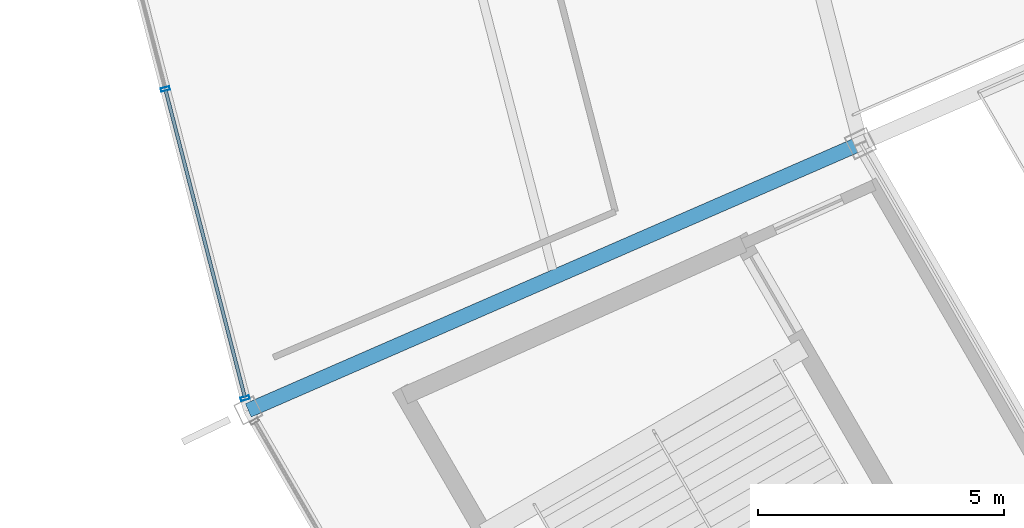
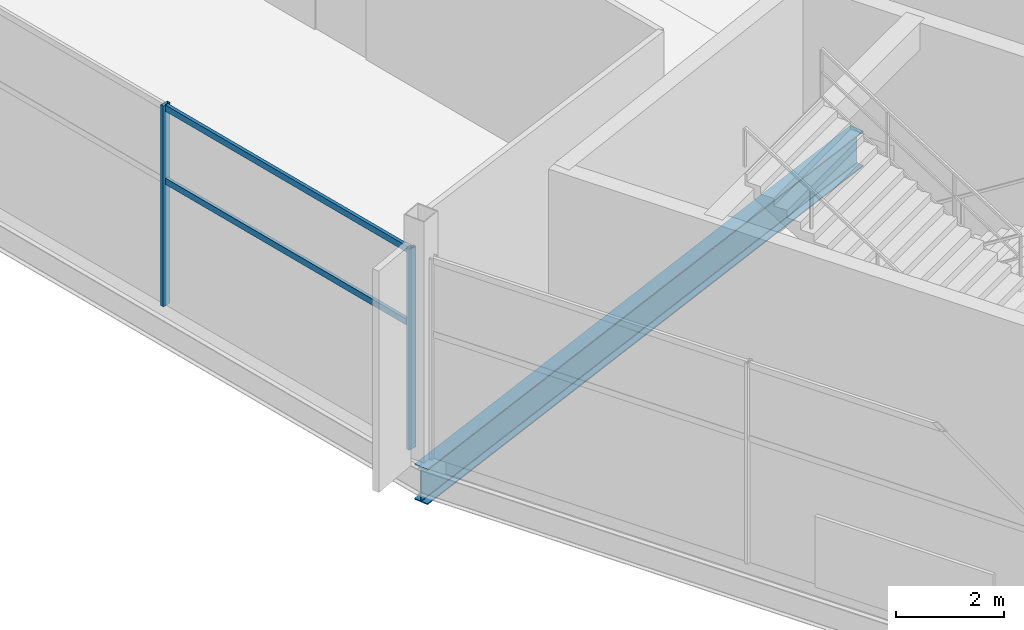
# One storey, part 23 of 186: 4 members, 1 beam, 1 element without a shape of its own.
"""IFC4 building model written with IfcOpenShell, lengths in metres."""

from ifc_helpers import new_model, si_unit, direction, frame, origin, origin_2d, place, context, subcontext, project, spatial, hollow_rectangle, i_section, extrude, material, layer, layer_set, material_profile, profile_set, type_object, element, aggregate, save


model = new_model("IFC4")

# Units and contexts
model_context = context("Model", 3, precision=1e-05, world=origin(), true_north=direction((0.0, 1.0)))
body_context = subcontext(model_context, "Body", "Model", "MODEL_VIEW")
ifc_project = project(units=[si_unit("LENGTHUNIT", "METRE"), si_unit("AREAUNIT", "SQUARE_METRE"), si_unit("VOLUMEUNIT", "CUBIC_METRE"), si_unit("PLANEANGLEUNIT", "RADIAN"), si_unit("MASSUNIT", "GRAM", prefix="KILO")], contexts=[model_context])

# Site, building, storey
site_placement = place(None, origin())
site = spatial("IfcSite", under=ifc_project, at=site_placement, CompositionType="ELEMENT")
building_placement = place(site_placement, origin())
building = spatial("IfcBuilding", under=site, at=building_placement, Name="Kazemori Nagisa Stadium", CompositionType="ELEMENT")
storey_placement = place(building_placement, frame((0.0, 0.0, 20.39990234375)))
storey = spatial("IfcBuildingStorey", under=building, at=storey_placement, Name="L04", CompositionType="ELEMENT", Elevation=20.39990234375)

# Beam
ifc_material_1 = material(Name="Steel SN490B", Category="steel")
ifc_material_profile_1 = material_profile(ifc_material_1, i_section(OverallWidth=0.300048828125, OverallDepth=0.800048828125, WebThickness=0.013916015625, FlangeThickness=0.02587890625, FilletRadius=0.01806640625, at=origin_2d()), Name="H-800x300x14x26")
ifc_profile_set_1 = profile_set([ifc_material_profile_1], Name="Steel SN490B")
beam_type = type_object("IfcBeamType", Name="Beam_BG-H800", PredefinedType="BEAM", material=ifc_profile_set_1)
beam_placement = place(storey_placement, frame((46.55908203125, 68.67529296875, -0.699951171875), z_axis=(-0.916683633521, -0.399613708517, 0.0), x_axis=(0.399613708517, -0.916683633521, 0.0)))
element("IfcBeam", 1, at=beam_placement, inside=storey, type_object=beam_type, Name="Radial girder BG-H800 L04 R2-R3-17", PredefinedType="BEAM", context=body_context, shape_type="SweptSolid", body=[
    extrude(i_section(OverallWidth=0.300048828125, OverallDepth=0.800048828125, WebThickness=0.013916015625, FlangeThickness=0.02587890625, FilletRadius=0.01806640625, at=origin_2d()), origin(), (0.0, 0.0, 1.0), 13.5751953125),
])

# Curtain wall, members
ifc_material_2 = material(Name="Anodised aluminium 6063-T5", Category="aluminium")
ifc_layer = layer(ifc_material_2, 0.179931640625, Name="Anodised aluminium 6063-T5", Category="aluminium")
ifc_layer_set = layer_set([ifc_layer], Name="Anodised aluminium 6063-T5")
curtain_wall_type = type_object("IfcCurtainWallType", Name="CW_L04R3_98", PredefinedType="USERDEFINED", material=ifc_layer_set)
curtain_wall_placement = place(storey_placement, origin())
curtain_wall = element("IfcCurtainWall", 2, at=curtain_wall_placement, inside=storey, type_object=curtain_wall_type, Name="Unitised curtain wall CW-L04R3-98 L04", ObjectType="UNITISED CURTAIN WALL", PredefinedType="USERDEFINED")
ifc_material_3 = material(Name="Aluminium 6063-T5 anodised", Category="aluminium")
ifc_material_profile_2 = material_profile(ifc_material_3, hollow_rectangle(XDim=0.070068359375, YDim=0.179931640625, WallThickness=0.00390625, at=origin_2d()), Name="ALU-MULL-70x180x4")
ifc_profile_set_2 = profile_set([ifc_material_profile_2], Name="Aluminium 6063-T5 anodised")
member_type_1 = type_object("IfcMemberType", Name="Mullion_M01", PredefinedType="MULLION", material=ifc_profile_set_2)
member_1_placement = place(storey_placement, frame((32.428466796875, 69.783447265625, 0.0), z_axis=(0.0, 0.0, 1.0), x_axis=(0.249964642418, -0.968254965152, 0.0)))
member_1 = element("IfcMember", 3, at=member_1_placement, type_object=member_type_1, Name="Curtain wall mullion CW-L04R3-98-M3", PredefinedType="MULLION", context=body_context, shape_type="SweptSolid", body=[
    extrude(hollow_rectangle(XDim=0.070068359375, YDim=0.179931640625, WallThickness=0.00390625, at=origin_2d()), origin(), (0.0, 0.0, 1.0), 4.530029296875),
])
member_2_placement = place(storey_placement, frame((34.05126953125, 63.497314453125, 0.0), z_axis=(0.0, 0.0, 1.0), x_axis=(0.249964642418, -0.968254965152, 0.0)))
member_2 = element("IfcMember", 4, at=member_2_placement, type_object=member_type_1, Name="Curtain wall mullion CW-L04R3-98-M4", PredefinedType="MULLION", context=body_context, shape_type="SweptSolid", body=[
    extrude(hollow_rectangle(XDim=0.070068359375, YDim=0.179931640625, WallThickness=0.00390625, at=origin_2d()), origin(), (0.0, 0.0, 1.0), 4.530029296875),
])
ifc_material_profile_3 = material_profile(ifc_material_3, hollow_rectangle(XDim=0.070068359375, YDim=0.139892578125, WallThickness=0.00390625, at=origin_2d()), Name="ALU-TRAN-70x140x4")
ifc_profile_set_3 = profile_set([ifc_material_profile_3], Name="Aluminium 6063-T5 anodised")
member_type_2 = type_object("IfcMemberType", Name="Transom_T01", PredefinedType="USERDEFINED", material=ifc_profile_set_3)
member_3_placement = place(storey_placement, frame((32.43359375, 69.763916015625, 2.80859375), z_axis=(0.249971861357, -0.968253101482, 0.0), x_axis=(0.968253101482, 0.249971861357, 0.0)))
member_3 = element("IfcMember", 5, at=member_3_placement, type_object=member_type_2, Name="Curtain wall transom CW-L04R3-98-T3-mid", ObjectType="TRANSOM", PredefinedType="USERDEFINED", context=body_context, shape_type="SweptSolid", body=[
    extrude(hollow_rectangle(XDim=0.070068359375, YDim=0.139892578125, WallThickness=0.00390625, at=origin_2d()), origin(), (0.0, 0.0, 1.0), 6.451904296875),
])
member_4_placement = place(storey_placement, frame((32.43359375, 69.763916015625, 4.460205078125), z_axis=(0.249971861357, -0.968253101482, 0.0), x_axis=(0.968253101482, 0.249971861357, 0.0)))
member_4 = element("IfcMember", 6, at=member_4_placement, type_object=member_type_2, Name="Curtain wall transom CW-L04R3-98-T3-head", ObjectType="TRANSOM", PredefinedType="USERDEFINED", context=body_context, shape_type="SweptSolid", body=[
    extrude(hollow_rectangle(XDim=0.070068359375, YDim=0.139892578125, WallThickness=0.00390625, at=origin_2d()), origin(), (0.0, 0.0, 1.0), 6.451904296875),
])
aggregate(curtain_wall, [member_1, member_2, member_3, member_4])

save(model, "model.ifc")
